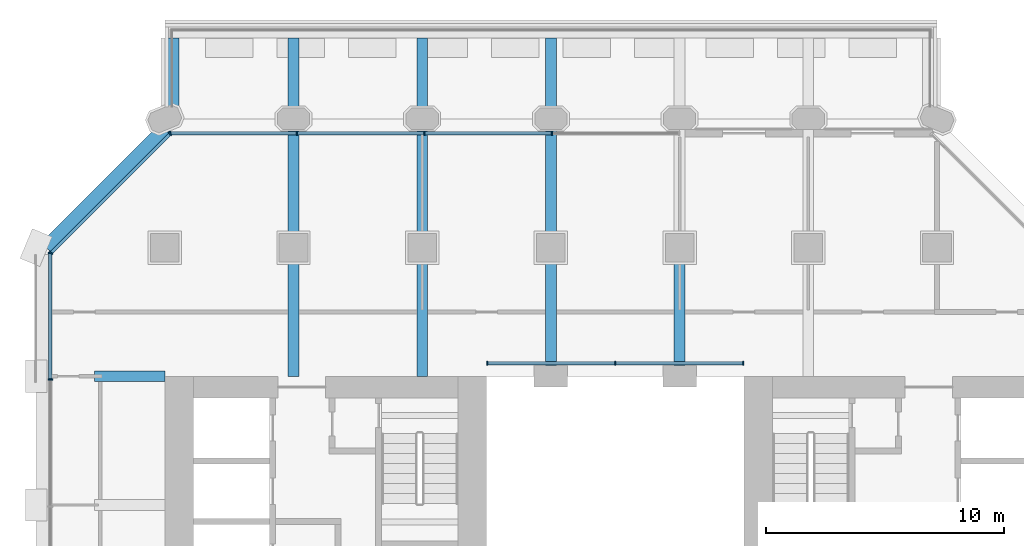
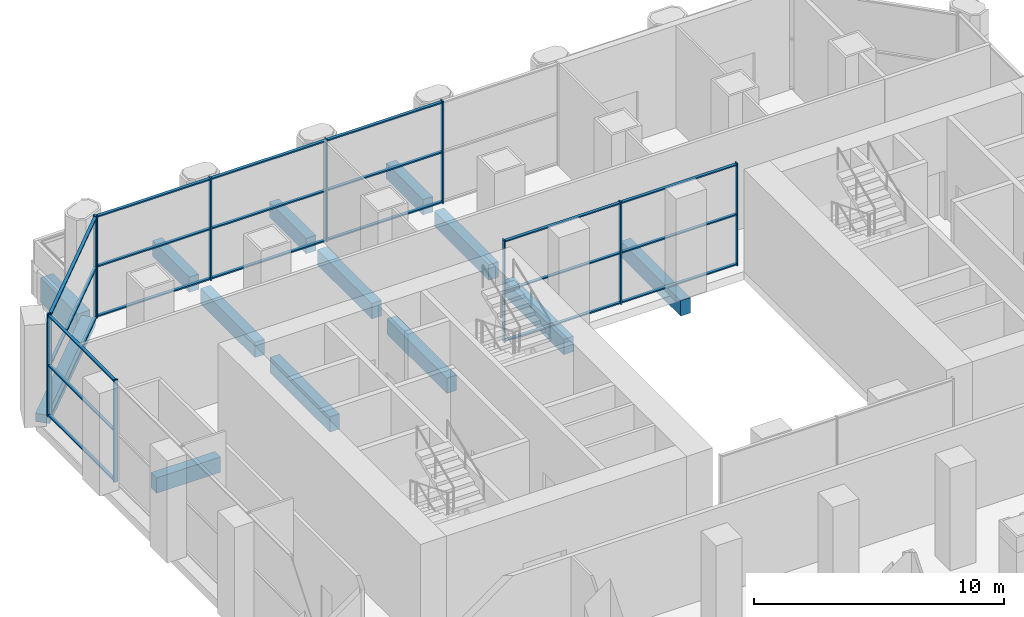
# One storey, part 7 of 27: 32 members, 13 beams, 4 elements without a shape of their own.
"""IFC4 building model written with IfcOpenShell, lengths in metres."""

from ifc_helpers import new_model, si_unit, direction, frame, origin, origin_2d, place, context, subcontext, project, spatial, rectangle, extrude, material, material_profile, profile_set, type_object, element, aggregate, save


model = new_model("IFC4")

# Units and contexts
model_context = context("Model", 3, precision=1e-05, world=origin(), true_north=direction((0.0, 1.0)))
body_context = subcontext(model_context, "Body", "Model", "MODEL_VIEW")
ifc_project = project(units=[si_unit("LENGTHUNIT", "METRE"), si_unit("AREAUNIT", "SQUARE_METRE"), si_unit("VOLUMEUNIT", "CUBIC_METRE"), si_unit("PLANEANGLEUNIT", "RADIAN"), si_unit("MASSUNIT", "GRAM", prefix="KILO")], contexts=[model_context])

# Site, building, storey
site_placement = place(None, origin())
site = spatial("IfcSite", under=ifc_project, at=site_placement, CompositionType="ELEMENT")
building_placement = place(site_placement, origin())
building = spatial("IfcBuilding", under=site, at=building_placement, Name="Tabaq Tower and Sports Hall", CompositionType="ELEMENT")
storey_placement = place(building_placement, frame((0.0, 0.0, 14.39990234375)))
storey = spatial("IfcBuildingStorey", under=building, at=storey_placement, Name="L02", CompositionType="ELEMENT", Elevation=14.39990234375)

# Curtain wall, members
ifc_material_1 = material(Name="Aluminium alloy 6063-T6 framed glazing", Category="aluminium")
curtain_wall_type_1 = type_object("IfcCurtainWallType", Name="CW1 curtain wall", PredefinedType="USERDEFINED", material=ifc_material_1)
curtain_wall_1_placement = place(storey_placement, origin())
curtain_wall_1 = element("IfcCurtainWall", 1, at=curtain_wall_1_placement, inside=storey, type_object=curtain_wall_type_1, Name="Atrium glazing L02 N", ObjectType="ATRIUM ENCLOSURE", PredefinedType="USERDEFINED")
ifc_material_2 = material(Name="Aluminium alloy 6063-T6", Category="aluminium")
ifc_material_profile_1 = material_profile(ifc_material_2, rectangle(XDim=0.159912109375, YDim=0.06005859375, at=origin_2d()), Name="MULLION 160x60")
ifc_profile_set_1 = profile_set([ifc_material_profile_1], Name="Aluminium alloy 6063-T6")
member_type_1 = type_object("IfcMemberType", Name="CW1 mullion 160x60", PredefinedType="MULLION", material=ifc_profile_set_1)
member_1_placement = place(storey_placement, frame((18.929931640625, 32.949951171875, 0.0), z_axis=(0.0, 0.0, 1.0), x_axis=(0.0, 1.0, 0.0)))
member_1 = element("IfcMember", 2, at=member_1_placement, type_object=member_type_1, Name="CW1 mullion 1", PredefinedType="MULLION", context=body_context, shape_type="SweptSolid", body=[
    extrude(rectangle(XDim=0.159912109375, YDim=0.06005859375, at=origin_2d()), origin(), (0.0, 0.0, 1.0), 5.0),
])
member_2_placement = place(storey_placement, frame((24.300048828125, 32.949951171875, 0.0), z_axis=(0.0, 0.0, 1.0), x_axis=(0.0, 1.0, 0.0)))
member_2 = element("IfcMember", 3, at=member_2_placement, type_object=member_type_1, Name="CW1 mullion 2", PredefinedType="MULLION", context=body_context, shape_type="SweptSolid", body=[
    extrude(rectangle(XDim=0.159912109375, YDim=0.06005859375, at=origin_2d()), origin(), (0.0, 0.0, 1.0), 5.0),
])
member_3_placement = place(storey_placement, frame((29.669921875, 32.949951171875, 0.0), z_axis=(0.0, 0.0, 1.0), x_axis=(0.0, 1.0, 0.0)))
member_3 = element("IfcMember", 4, at=member_3_placement, type_object=member_type_1, Name="CW1 mullion 3", PredefinedType="MULLION", context=body_context, shape_type="SweptSolid", body=[
    extrude(rectangle(XDim=0.159912109375, YDim=0.06005859375, at=origin_2d()), origin(), (0.0, 0.0, 1.0), 5.0),
])
ifc_material_3 = material(Name="Aluminium alloy 6063-T6", Category="aluminium")
ifc_material_profile_2 = material_profile(ifc_material_3, rectangle(XDim=0.139892578125, YDim=0.06005859375, at=origin_2d()), Name="TRANSOM 140x60")
ifc_profile_set_2 = profile_set([ifc_material_profile_2], Name="Aluminium alloy 6063-T6")
member_type_2 = type_object("IfcMemberType", Name="CW1 transom 140x60", PredefinedType="USERDEFINED", material=ifc_profile_set_2)
member_4_placement = place(storey_placement, frame((18.9599609375, 32.949951171875, 0.070068359375), z_axis=(1.0, 0.0, 0.0), x_axis=(0.0, 1.0, 0.0)))
member_4 = element("IfcMember", 5, at=member_4_placement, type_object=member_type_2, Name="CW1 transom 1.1", ObjectType="TRANSOM", PredefinedType="USERDEFINED", context=body_context, shape_type="SweptSolid", body=[
    extrude(rectangle(XDim=0.139892578125, YDim=0.06005859375, at=origin_2d()), origin(), (0.0, 0.0, 1.0), 5.31005859375),
])
member_5_placement = place(storey_placement, frame((18.9599609375, 32.949951171875, 2.5), z_axis=(1.0, 0.0, 0.0), x_axis=(0.0, 1.0, 0.0)))
member_5 = element("IfcMember", 6, at=member_5_placement, type_object=member_type_2, Name="CW1 transom 1.2", ObjectType="TRANSOM", PredefinedType="USERDEFINED", context=body_context, shape_type="SweptSolid", body=[
    extrude(rectangle(XDim=0.139892578125, YDim=0.06005859375, at=origin_2d()), origin(), (0.0, 0.0, 1.0), 5.31005859375),
])
member_6_placement = place(storey_placement, frame((18.9599609375, 32.949951171875, 4.93017578125), z_axis=(1.0, 0.0, 0.0), x_axis=(0.0, 1.0, 0.0)))
member_6 = element("IfcMember", 7, at=member_6_placement, type_object=member_type_2, Name="CW1 transom 1.3", ObjectType="TRANSOM", PredefinedType="USERDEFINED", context=body_context, shape_type="SweptSolid", body=[
    extrude(rectangle(XDim=0.139892578125, YDim=0.06005859375, at=origin_2d()), origin(), (0.0, 0.0, 1.0), 5.31005859375),
])
member_7_placement = place(storey_placement, frame((24.330078125, 32.949951171875, 0.070068359375), z_axis=(1.0, 0.0, 0.0), x_axis=(0.0, 1.0, 0.0)))
member_7 = element("IfcMember", 8, at=member_7_placement, type_object=member_type_2, Name="CW1 transom 2.1", ObjectType="TRANSOM", PredefinedType="USERDEFINED", context=body_context, shape_type="SweptSolid", body=[
    extrude(rectangle(XDim=0.139892578125, YDim=0.06005859375, at=origin_2d()), origin(), (0.0, 0.0, 1.0), 5.309814453125),
])
member_8_placement = place(storey_placement, frame((24.330078125, 32.949951171875, 2.5), z_axis=(1.0, 0.0, 0.0), x_axis=(0.0, 1.0, 0.0)))
member_8 = element("IfcMember", 9, at=member_8_placement, type_object=member_type_2, Name="CW1 transom 2.2", ObjectType="TRANSOM", PredefinedType="USERDEFINED", context=body_context, shape_type="SweptSolid", body=[
    extrude(rectangle(XDim=0.139892578125, YDim=0.06005859375, at=origin_2d()), origin(), (0.0, 0.0, 1.0), 5.309814453125),
])
member_9_placement = place(storey_placement, frame((24.330078125, 32.949951171875, 4.93017578125), z_axis=(1.0, 0.0, 0.0), x_axis=(0.0, 1.0, 0.0)))
member_9 = element("IfcMember", 10, at=member_9_placement, type_object=member_type_2, Name="CW1 transom 2.3", ObjectType="TRANSOM", PredefinedType="USERDEFINED", context=body_context, shape_type="SweptSolid", body=[
    extrude(rectangle(XDim=0.139892578125, YDim=0.06005859375, at=origin_2d()), origin(), (0.0, 0.0, 1.0), 5.309814453125),
])
aggregate(curtain_wall_1, [member_1, member_2, member_3, member_4, member_5, member_6, member_7, member_8, member_9])

ifc_material_4 = material(Name="Aluminium alloy 6063-T6 framed glazing", Category="aluminium")
curtain_wall_type_2 = type_object("IfcCurtainWallType", Name="CW7 curtain wall", PredefinedType="USERDEFINED", material=ifc_material_4)
curtain_wall_2_placement = place(storey_placement, origin())
curtain_wall_2 = element("IfcCurtainWall", 11, at=curtain_wall_2_placement, inside=storey, type_object=curtain_wall_type_2, Name="Podium Wall L02 N", ObjectType="PODIUM WALL", PredefinedType="USERDEFINED")
ifc_material_5 = material(Name="Aluminium alloy 6063-T6", Category="aluminium")
ifc_material_profile_3 = material_profile(ifc_material_5, rectangle(XDim=0.179931640625, YDim=0.06494140625, at=origin_2d()), Name="MULLION 180x65")
ifc_profile_set_3 = profile_set([ifc_material_profile_3], Name="Aluminium alloy 6063-T6")
member_type_3 = type_object("IfcMemberType", Name="CW7 mullion 180x65", PredefinedType="MULLION", material=ifc_profile_set_3)
member_10_placement = place(storey_placement, frame((21.646484375, 42.60009765625, 0.0), z_axis=(0.0, 0.0, 1.0), x_axis=(0.0, -1.0, 0.0)))
member_10 = element("IfcMember", 12, at=member_10_placement, type_object=member_type_3, Name="CW7 mullion 2", PredefinedType="MULLION", context=body_context, shape_type="SweptSolid", body=[
    extrude(rectangle(XDim=0.179931640625, YDim=0.06494140625, at=origin_2d()), origin(), (0.0, 0.0, 1.0), 5.0),
])
member_11_placement = place(storey_placement, frame((16.293212890625, 42.60009765625, 0.0), z_axis=(0.0, 0.0, 1.0), x_axis=(0.0, -1.0, 0.0)))
member_11 = element("IfcMember", 13, at=member_11_placement, type_object=member_type_3, Name="CW7 mullion 3", PredefinedType="MULLION", context=body_context, shape_type="SweptSolid", body=[
    extrude(rectangle(XDim=0.179931640625, YDim=0.06494140625, at=origin_2d()), origin(), (0.0, 0.0, 1.0), 5.0),
])
member_12_placement = place(storey_placement, frame((10.939697265625, 42.60009765625, 0.0), z_axis=(0.0, 0.0, 1.0), x_axis=(0.0, -1.0, 0.0)))
member_12 = element("IfcMember", 14, at=member_12_placement, type_object=member_type_3, Name="CW7 mullion 4", PredefinedType="MULLION", context=body_context, shape_type="SweptSolid", body=[
    extrude(rectangle(XDim=0.179931640625, YDim=0.06494140625, at=origin_2d()), origin(), (0.0, 0.0, 1.0), 5.0),
])
member_13_placement = place(storey_placement, frame((5.618896484375, 42.60009765625, 0.0), z_axis=(0.0, 0.0, 1.0), x_axis=(0.0, -1.0, 0.0)))
member_13 = element("IfcMember", 15, at=member_13_placement, type_object=member_type_3, Name="CW7 mullion 5", PredefinedType="MULLION", context=body_context, shape_type="SweptSolid", body=[
    extrude(rectangle(XDim=0.179931640625, YDim=0.06494140625, at=origin_2d()), origin(), (0.0, 0.0, 1.0), 5.0),
])

curtain_wall_3_placement = place(storey_placement, origin())
curtain_wall_3 = element("IfcCurtainWall", 16, at=curtain_wall_3_placement, inside=storey, type_object=curtain_wall_type_2, Name="Podium Wall L02 NW", ObjectType="PODIUM WALL", PredefinedType="USERDEFINED")
member_14_placement = place(storey_placement, frame((5.62548828125, 42.576904296875, 0.0), z_axis=(0.0, 0.0, 1.0), x_axis=(0.707106781187, -0.707106781187, 0.0)))
member_14 = element("IfcMember", 17, at=member_14_placement, type_object=member_type_3, Name="CW7 mullion 1", PredefinedType="MULLION", context=body_context, shape_type="SweptSolid", body=[
    extrude(rectangle(XDim=0.179931640625, YDim=0.06494140625, at=origin_2d()), origin(), (0.0, 0.0, 1.0), 5.0),
])
member_15_placement = place(storey_placement, frame((0.623046875, 37.574462890625, 0.0), z_axis=(0.0, 0.0, 1.0), x_axis=(0.707106781187, -0.707106781187, 0.0)))
member_15 = element("IfcMember", 18, at=member_15_placement, type_object=member_type_3, Name="CW7 mullion 2", PredefinedType="MULLION", context=body_context, shape_type="SweptSolid", body=[
    extrude(rectangle(XDim=0.179931640625, YDim=0.06494140625, at=origin_2d()), origin(), (0.0, 0.0, 1.0), 5.0),
])

curtain_wall_4_placement = place(storey_placement, origin())
curtain_wall_4 = element("IfcCurtainWall", 19, at=curtain_wall_4_placement, inside=storey, type_object=curtain_wall_type_2, Name="Podium Wall L02 W", ObjectType="PODIUM WALL", PredefinedType="USERDEFINED")
member_16_placement = place(storey_placement, frame((0.60009765625, 37.5810546875, 0.0), z_axis=(0.0, 0.0, 1.0), x_axis=(1.0, 0.0, 0.0)))
member_16 = element("IfcMember", 20, at=member_16_placement, type_object=member_type_3, Name="CW7 mullion 1", PredefinedType="MULLION", context=body_context, shape_type="SweptSolid", body=[
    extrude(rectangle(XDim=0.179931640625, YDim=0.06494140625, at=origin_2d()), origin(), (0.0, 0.0, 1.0), 5.0),
])
member_17_placement = place(storey_placement, frame((0.60009765625, 32.275634765625, 0.0), z_axis=(0.0, 0.0, 1.0), x_axis=(1.0, 0.0, 0.0)))
member_17 = element("IfcMember", 21, at=member_17_placement, type_object=member_type_3, Name="CW7 mullion 2", PredefinedType="MULLION", context=body_context, shape_type="SweptSolid", body=[
    extrude(rectangle(XDim=0.179931640625, YDim=0.06494140625, at=origin_2d()), origin(), (0.0, 0.0, 1.0), 5.0),
])

# Member
ifc_material_6 = material(Name="Aluminium alloy 6063-T6", Category="aluminium")
ifc_material_profile_4 = material_profile(ifc_material_6, rectangle(XDim=0.139892578125, YDim=0.06494140625, at=origin_2d()), Name="TRANSOM 140x65")
ifc_profile_set_4 = profile_set([ifc_material_profile_4], Name="Aluminium alloy 6063-T6")
member_type_4 = type_object("IfcMemberType", Name="CW7 transom 140x65", PredefinedType="USERDEFINED", material=ifc_profile_set_4)
member_18_placement = place(storey_placement, frame((21.614013671875, 42.60009765625, 0.070068359375), z_axis=(-1.0, 0.0, 0.0), x_axis=(0.0, -1.0, 0.0)))
member_18 = element("IfcMember", 22, at=member_18_placement, type_object=member_type_4, Name="CW7 transom 2.1", ObjectType="TRANSOM", PredefinedType="USERDEFINED", context=body_context, shape_type="SweptSolid", body=[
    extrude(rectangle(XDim=0.139892578125, YDim=0.06494140625, at=origin_2d()), origin(), (0.0, 0.0, 1.0), 5.288330078125),
])

member_19_placement = place(storey_placement, frame((21.614013671875, 42.60009765625, 2.5), z_axis=(-1.0, 0.0, 0.0), x_axis=(0.0, -1.0, 0.0)))
member_19 = element("IfcMember", 23, at=member_19_placement, type_object=member_type_4, Name="CW7 transom 2.2", ObjectType="TRANSOM", PredefinedType="USERDEFINED", context=body_context, shape_type="SweptSolid", body=[
    extrude(rectangle(XDim=0.139892578125, YDim=0.06494140625, at=origin_2d()), origin(), (0.0, 0.0, 1.0), 5.288330078125),
])

member_20_placement = place(storey_placement, frame((21.614013671875, 42.60009765625, 4.93017578125), z_axis=(-1.0, 0.0, 0.0), x_axis=(0.0, -1.0, 0.0)))
member_20 = element("IfcMember", 24, at=member_20_placement, type_object=member_type_4, Name="CW7 transom 2.3", ObjectType="TRANSOM", PredefinedType="USERDEFINED", context=body_context, shape_type="SweptSolid", body=[
    extrude(rectangle(XDim=0.139892578125, YDim=0.06494140625, at=origin_2d()), origin(), (0.0, 0.0, 1.0), 5.288330078125),
])

member_21_placement = place(storey_placement, frame((16.2607421875, 42.60009765625, 0.070068359375), z_axis=(-1.0, 0.0, 0.0), x_axis=(0.0, -1.0, 0.0)))
member_21 = element("IfcMember", 25, at=member_21_placement, type_object=member_type_4, Name="CW7 transom 3.1", ObjectType="TRANSOM", PredefinedType="USERDEFINED", context=body_context, shape_type="SweptSolid", body=[
    extrude(rectangle(XDim=0.139892578125, YDim=0.06494140625, at=origin_2d()), origin(), (0.0, 0.0, 1.0), 5.288330078125),
])

member_22_placement = place(storey_placement, frame((16.2607421875, 42.60009765625, 2.5), z_axis=(-1.0, 0.0, 0.0), x_axis=(0.0, -1.0, 0.0)))
member_22 = element("IfcMember", 26, at=member_22_placement, type_object=member_type_4, Name="CW7 transom 3.2", ObjectType="TRANSOM", PredefinedType="USERDEFINED", context=body_context, shape_type="SweptSolid", body=[
    extrude(rectangle(XDim=0.139892578125, YDim=0.06494140625, at=origin_2d()), origin(), (0.0, 0.0, 1.0), 5.288330078125),
])

member_23_placement = place(storey_placement, frame((16.2607421875, 42.60009765625, 4.93017578125), z_axis=(-1.0, 0.0, 0.0), x_axis=(0.0, -1.0, 0.0)))
member_23 = element("IfcMember", 27, at=member_23_placement, type_object=member_type_4, Name="CW7 transom 3.3", ObjectType="TRANSOM", PredefinedType="USERDEFINED", context=body_context, shape_type="SweptSolid", body=[
    extrude(rectangle(XDim=0.139892578125, YDim=0.06494140625, at=origin_2d()), origin(), (0.0, 0.0, 1.0), 5.288330078125),
])

member_24_placement = place(storey_placement, frame((10.9072265625, 42.60009765625, 0.070068359375), z_axis=(-1.0, 0.0, 0.0), x_axis=(0.0, -1.0, 0.0)))
member_24 = element("IfcMember", 28, at=member_24_placement, type_object=member_type_4, Name="CW7 transom 4.1", ObjectType="TRANSOM", PredefinedType="USERDEFINED", context=body_context, shape_type="SweptSolid", body=[
    extrude(rectangle(XDim=0.139892578125, YDim=0.06494140625, at=origin_2d()), origin(), (0.0, 0.0, 1.0), 5.255859375),
])

member_25_placement = place(storey_placement, frame((10.9072265625, 42.60009765625, 2.5), z_axis=(-1.0, 0.0, 0.0), x_axis=(0.0, -1.0, 0.0)))
member_25 = element("IfcMember", 29, at=member_25_placement, type_object=member_type_4, Name="CW7 transom 4.2", ObjectType="TRANSOM", PredefinedType="USERDEFINED", context=body_context, shape_type="SweptSolid", body=[
    extrude(rectangle(XDim=0.139892578125, YDim=0.06494140625, at=origin_2d()), origin(), (0.0, 0.0, 1.0), 5.255859375),
])

member_26_placement = place(storey_placement, frame((10.9072265625, 42.60009765625, 4.93017578125), z_axis=(-1.0, 0.0, 0.0), x_axis=(0.0, -1.0, 0.0)))
member_26 = element("IfcMember", 30, at=member_26_placement, type_object=member_type_4, Name="CW7 transom 4.3", ObjectType="TRANSOM", PredefinedType="USERDEFINED", context=body_context, shape_type="SweptSolid", body=[
    extrude(rectangle(XDim=0.139892578125, YDim=0.06494140625, at=origin_2d()), origin(), (0.0, 0.0, 1.0), 5.255859375),
])

aggregate(curtain_wall_2, [member_10, member_11, member_12, member_13, member_18, member_19, member_20, member_21, member_22, member_23, member_24, member_25, member_26])

member_27_placement = place(storey_placement, frame((5.6025390625, 42.553955078125, 0.070068359375), z_axis=(-0.707106781187, -0.707106781187, 0.0), x_axis=(0.707106781187, -0.707106781187, 0.0)))
member_27 = element("IfcMember", 31, at=member_27_placement, type_object=member_type_4, Name="CW7 transom 1.1", ObjectType="TRANSOM", PredefinedType="USERDEFINED", context=body_context, shape_type="SweptSolid", body=[
    extrude(rectangle(XDim=0.139892578125, YDim=0.06494140625, at=origin_2d()), origin(), (0.0, 0.0, 1.0), 7.009521484375),
])

member_28_placement = place(storey_placement, frame((5.6025390625, 42.553955078125, 2.5), z_axis=(-0.707106781187, -0.707106781187, 0.0), x_axis=(0.707106781187, -0.707106781187, 0.0)))
member_28 = element("IfcMember", 32, at=member_28_placement, type_object=member_type_4, Name="CW7 transom 1.2", ObjectType="TRANSOM", PredefinedType="USERDEFINED", context=body_context, shape_type="SweptSolid", body=[
    extrude(rectangle(XDim=0.139892578125, YDim=0.06494140625, at=origin_2d()), origin(), (0.0, 0.0, 1.0), 7.009521484375),
])

member_29_placement = place(storey_placement, frame((5.6025390625, 42.553955078125, 4.93017578125), z_axis=(-0.707106781187, -0.707106781187, 0.0), x_axis=(0.707106781187, -0.707106781187, 0.0)))
member_29 = element("IfcMember", 33, at=member_29_placement, type_object=member_type_4, Name="CW7 transom 1.3", ObjectType="TRANSOM", PredefinedType="USERDEFINED", context=body_context, shape_type="SweptSolid", body=[
    extrude(rectangle(XDim=0.139892578125, YDim=0.06494140625, at=origin_2d()), origin(), (0.0, 0.0, 1.0), 7.009521484375),
])

aggregate(curtain_wall_3, [member_14, member_15, member_27, member_28, member_29])

member_30_placement = place(storey_placement, frame((0.60009765625, 37.548583984375, 0.070068359375), z_axis=(0.0, -1.0, 0.0), x_axis=(1.0, 0.0, 0.0)))
member_30 = element("IfcMember", 34, at=member_30_placement, type_object=member_type_4, Name="CW7 transom 1.1", ObjectType="TRANSOM", PredefinedType="USERDEFINED", context=body_context, shape_type="SweptSolid", body=[
    extrude(rectangle(XDim=0.139892578125, YDim=0.06494140625, at=origin_2d()), origin(), (0.0, 0.0, 1.0), 5.240234375),
])

member_31_placement = place(storey_placement, frame((0.60009765625, 37.548583984375, 2.5), z_axis=(0.0, -1.0, 0.0), x_axis=(1.0, 0.0, 0.0)))
member_31 = element("IfcMember", 35, at=member_31_placement, type_object=member_type_4, Name="CW7 transom 1.2", ObjectType="TRANSOM", PredefinedType="USERDEFINED", context=body_context, shape_type="SweptSolid", body=[
    extrude(rectangle(XDim=0.139892578125, YDim=0.06494140625, at=origin_2d()), origin(), (0.0, 0.0, 1.0), 5.240234375),
])

member_32_placement = place(storey_placement, frame((0.60009765625, 37.548583984375, 4.93017578125), z_axis=(0.0, -1.0, 0.0), x_axis=(1.0, 0.0, 0.0)))
member_32 = element("IfcMember", 36, at=member_32_placement, type_object=member_type_4, Name="CW7 transom 1.3", ObjectType="TRANSOM", PredefinedType="USERDEFINED", context=body_context, shape_type="SweptSolid", body=[
    extrude(rectangle(XDim=0.139892578125, YDim=0.06494140625, at=origin_2d()), origin(), (0.0, 0.0, 1.0), 5.240234375),
])

aggregate(curtain_wall_4, [member_16, member_17, member_30, member_31, member_32])

# Beams
ifc_material_7 = material(Name="Concrete C40/50", Category="concrete")
ifc_material_profile_5 = material_profile(ifc_material_7, rectangle(XDim=0.60009765625, YDim=1.199951171875, at=origin_2d()), Name="EBT 600x1200")
ifc_profile_set_5 = profile_set([ifc_material_profile_5], Name="Concrete C40/50")
beam_type_1 = type_object("IfcBeamType", Name="Concrete C40/50 PT edge band EBT 600x1200", PredefinedType="BEAM", material=ifc_profile_set_5)
beam_1_placement = place(storey_placement, frame((5.699951171875, 43.64990234375, -1.0), z_axis=(0.0, 1.0, 0.0), x_axis=(-1.0, 0.0, 0.0)))
element("IfcBeam", 37, at=beam_1_placement, inside=storey, type_object=beam_type_1, Name="Tray edge band L02", PredefinedType="BEAM", context=body_context, shape_type="SweptSolid", body=[
    extrude(rectangle(XDim=0.60009765625, YDim=1.199951171875, at=origin_2d()), origin(), (0.0, 0.0, 1.0), 2.9501953125),
])
ifc_material_8 = material(Name="Concrete C40/50", Category="concrete")
ifc_material_profile_6 = material_profile(ifc_material_8, rectangle(XDim=0.449951171875, YDim=0.75, at=origin_2d()), Name="CB 450x750")
ifc_profile_set_6 = profile_set([ifc_material_profile_6], Name="Concrete C40/50")
beam_type_2 = type_object("IfcBeamType", Name="PT CANTILEVER BEAM CB 450x750 C40/50", PredefinedType="BEAM", material=ifc_profile_set_6)
beam_2_placement = place(storey_placement, frame((2.449951171875, 32.39990234375, -0.77490234375), z_axis=(1.0, 0.0, 0.0), x_axis=(0.0, 1.0, 0.0)))
element("IfcBeam", 38, at=beam_2_placement, inside=storey, type_object=beam_type_2, Name="Cantilever Beam L02 W6 span 1", PredefinedType="BEAM", context=body_context, shape_type="SweptSolid", body=[
    extrude(rectangle(XDim=0.449951171875, YDim=0.75, at=origin_2d()), origin(), (0.0, 0.0, 1.0), 2.949951171875),
])
beam_3_placement = place(storey_placement, frame((27.0, 37.199951171875, -0.77490234375), z_axis=(0.0, -1.0, 0.0), x_axis=(1.0, 0.0, 0.0)))
element("IfcBeam", 39, at=beam_3_placement, inside=storey, type_object=beam_type_2, Name="Tray Cantilever Beam L02 T2 span 3", PredefinedType="BEAM", context=body_context, shape_type="SweptSolid", body=[
    extrude(rectangle(XDim=0.449951171875, YDim=0.75, at=origin_2d()), origin(), (0.0, 0.0, 1.0), 4.800048828125),
])
beam_4_placement = place(storey_placement, frame((21.60009765625, 46.60009765625, -0.77490234375), z_axis=(0.0, -1.0, 0.0), x_axis=(1.0, 0.0, 0.0)))
element("IfcBeam", 40, at=beam_4_placement, inside=storey, type_object=beam_type_2, Name="Tray Cantilever Beam L02 T3 span 1", PredefinedType="BEAM", context=body_context, shape_type="SweptSolid", body=[
    extrude(rectangle(XDim=0.449951171875, YDim=0.75, at=origin_2d()), origin(), (0.0, 0.0, 1.0), 2.9501953125),
])
beam_5_placement = place(storey_placement, frame((21.60009765625, 42.75, -0.77490234375), z_axis=(0.0, -1.0, 0.0), x_axis=(1.0, 0.0, 0.0)))
element("IfcBeam", 41, at=beam_5_placement, inside=storey, type_object=beam_type_2, Name="Tray Cantilever Beam L02 T3 span 2", PredefinedType="BEAM", context=body_context, shape_type="SweptSolid", body=[
    extrude(rectangle(XDim=0.449951171875, YDim=0.75, at=origin_2d()), origin(), (0.0, 0.0, 1.0), 4.35009765625),
])
beam_6_placement = place(storey_placement, frame((21.60009765625, 37.199951171875, -0.77490234375), z_axis=(0.0, -1.0, 0.0), x_axis=(1.0, 0.0, 0.0)))
element("IfcBeam", 42, at=beam_6_placement, inside=storey, type_object=beam_type_2, Name="Tray Cantilever Beam L02 T3 span 3", PredefinedType="BEAM", context=body_context, shape_type="SweptSolid", body=[
    extrude(rectangle(XDim=0.449951171875, YDim=0.75, at=origin_2d()), origin(), (0.0, 0.0, 1.0), 4.800048828125),
])
beam_7_placement = place(storey_placement, frame((16.199951171875, 46.60009765625, -0.77490234375), z_axis=(0.0, -1.0, 0.0), x_axis=(1.0, 0.0, 0.0)))
element("IfcBeam", 43, at=beam_7_placement, inside=storey, type_object=beam_type_2, Name="Tray Cantilever Beam L02 T4 span 1", PredefinedType="BEAM", context=body_context, shape_type="SweptSolid", body=[
    extrude(rectangle(XDim=0.449951171875, YDim=0.75, at=origin_2d()), origin(), (0.0, 0.0, 1.0), 2.9501953125),
])
beam_8_placement = place(storey_placement, frame((16.199951171875, 42.75, -0.77490234375), z_axis=(0.0, -1.0, 0.0), x_axis=(1.0, 0.0, 0.0)))
element("IfcBeam", 44, at=beam_8_placement, inside=storey, type_object=beam_type_2, Name="Tray Cantilever Beam L02 T4 span 2", PredefinedType="BEAM", context=body_context, shape_type="SweptSolid", body=[
    extrude(rectangle(XDim=0.449951171875, YDim=0.75, at=origin_2d()), origin(), (0.0, 0.0, 1.0), 4.35009765625),
])
beam_9_placement = place(storey_placement, frame((16.199951171875, 37.199951171875, -0.77490234375), z_axis=(0.0, -1.0, 0.0), x_axis=(1.0, 0.0, 0.0)))
element("IfcBeam", 45, at=beam_9_placement, inside=storey, type_object=beam_type_2, Name="Tray Cantilever Beam L02 T4 span 3", PredefinedType="BEAM", context=body_context, shape_type="SweptSolid", body=[
    extrude(rectangle(XDim=0.449951171875, YDim=0.75, at=origin_2d()), origin(), (0.0, 0.0, 1.0), 4.800048828125),
])
beam_10_placement = place(storey_placement, frame((10.800048828125, 46.60009765625, -0.77490234375), z_axis=(0.0, -1.0, 0.0), x_axis=(1.0, 0.0, 0.0)))
element("IfcBeam", 46, at=beam_10_placement, inside=storey, type_object=beam_type_2, Name="Tray Cantilever Beam L02 T5 span 1", PredefinedType="BEAM", context=body_context, shape_type="SweptSolid", body=[
    extrude(rectangle(XDim=0.449951171875, YDim=0.75, at=origin_2d()), origin(), (0.0, 0.0, 1.0), 2.9501953125),
])
beam_11_placement = place(storey_placement, frame((10.800048828125, 42.75, -0.77490234375), z_axis=(0.0, -1.0, 0.0), x_axis=(1.0, 0.0, 0.0)))
element("IfcBeam", 47, at=beam_11_placement, inside=storey, type_object=beam_type_2, Name="Tray Cantilever Beam L02 T5 span 2", PredefinedType="BEAM", context=body_context, shape_type="SweptSolid", body=[
    extrude(rectangle(XDim=0.449951171875, YDim=0.75, at=origin_2d()), origin(), (0.0, 0.0, 1.0), 4.35009765625),
])
beam_12_placement = place(storey_placement, frame((10.800048828125, 37.199951171875, -0.77490234375), z_axis=(0.0, -1.0, 0.0), x_axis=(1.0, 0.0, 0.0)))
element("IfcBeam", 48, at=beam_12_placement, inside=storey, type_object=beam_type_2, Name="Tray Cantilever Beam L02 T5 span 3", PredefinedType="BEAM", context=body_context, shape_type="SweptSolid", body=[
    extrude(rectangle(XDim=0.449951171875, YDim=0.75, at=origin_2d()), origin(), (0.0, 0.0, 1.0), 4.800048828125),
])
ifc_material_9 = material(Name="Concrete C40/50", Category="concrete")
ifc_material_profile_7 = material_profile(ifc_material_9, rectangle(XDim=0.60009765625, YDim=0.39990234375, at=origin_2d()), Name="EB 600x400")
ifc_profile_set_7 = profile_set([ifc_material_profile_7], Name="Concrete C40/50")
beam_type_3 = type_object("IfcBeamType", Name="PT EDGE BEAM EB 600x400 C40/50", PredefinedType="SPANDREL", material=ifc_profile_set_7)
beam_13_placement = place(storey_placement, frame((5.435302734375, 42.81103515625, -0.199951171875), z_axis=(-0.707106781187, -0.707106781187, 0.0), x_axis=(0.707106781187, -0.707106781187, 0.0)))
element("IfcBeam", 49, at=beam_13_placement, inside=storey, type_object=beam_type_3, Name="Edge Beam L02 3", PredefinedType="SPANDREL", context=body_context, shape_type="SweptSolid", body=[
    extrude(rectangle(XDim=0.60009765625, YDim=0.39990234375, at=origin_2d()), origin(), (0.0, 0.0, 1.0), 7.087890625),
])

save(model, "model.ifc")
